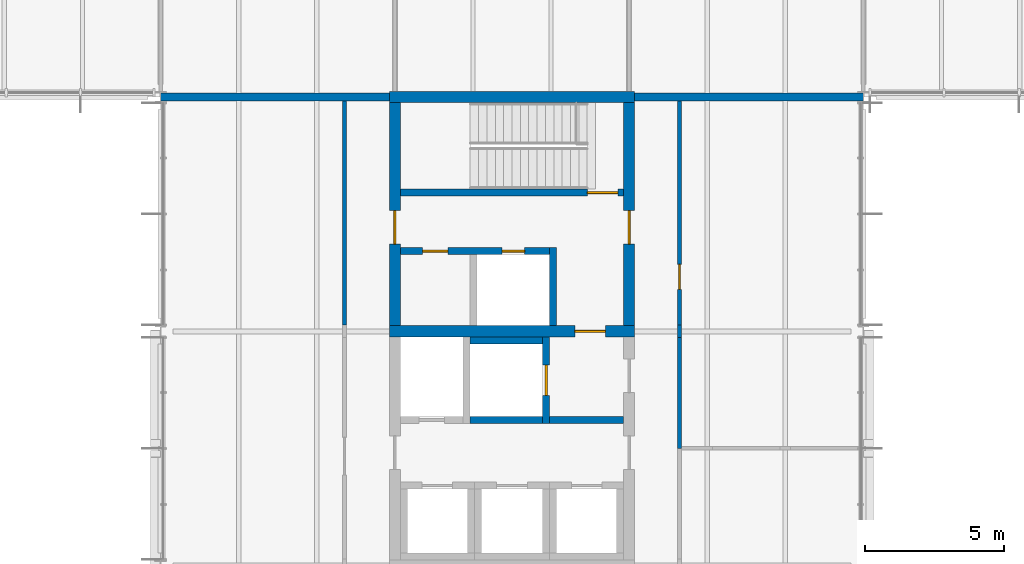
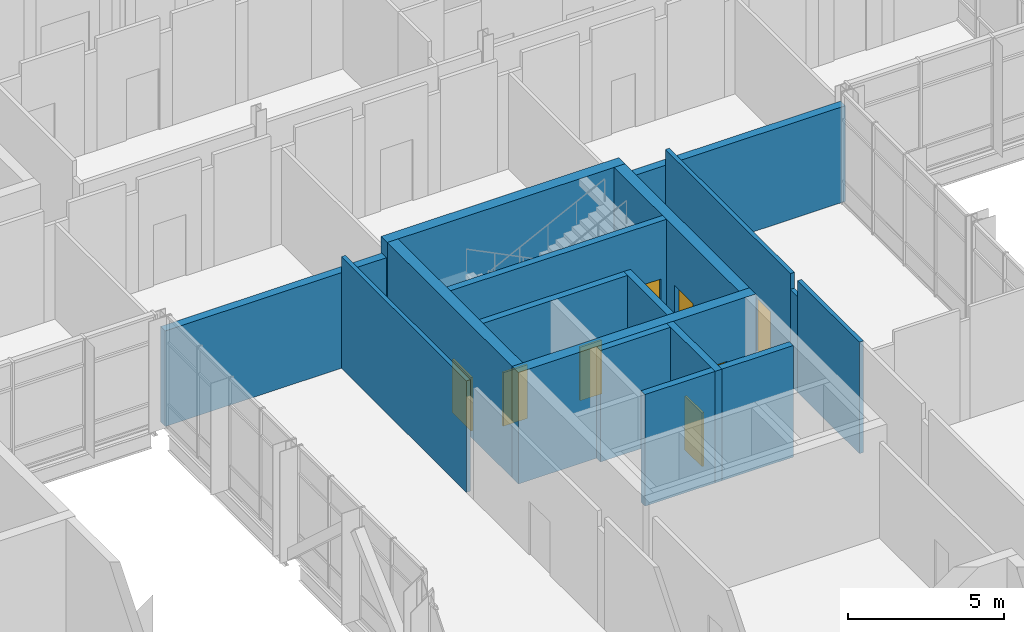
# One storey, part 55 of 89: 17 walls, 8 doors, 8 openings.
"""IFC4 building model written with IfcOpenShell, lengths in metres."""

from ifc_helpers import new_model, si_unit, direction, frame, frame_2d, origin, place, context, subcontext, project, spatial, rectangle, extrude, material, layer, layer_set, type_object, element, fill, save


model = new_model("IFC4")

# Units and contexts
model_context = context("Model", 3, precision=1e-05, world=origin(), true_north=direction((0.0, 1.0)))
body_context = subcontext(model_context, "Body", "Model", "MODEL_VIEW")
ifc_project = project(units=[si_unit("LENGTHUNIT", "METRE"), si_unit("AREAUNIT", "SQUARE_METRE"), si_unit("VOLUMEUNIT", "CUBIC_METRE"), si_unit("PLANEANGLEUNIT", "RADIAN"), si_unit("MASSUNIT", "GRAM", prefix="KILO")], contexts=[model_context])

# Site, building, storey
site_placement = place(None, origin())
site = spatial("IfcSite", under=ifc_project, at=site_placement, CompositionType="ELEMENT")
building_placement = place(site_placement, origin())
building = spatial("IfcBuilding", under=site, at=building_placement, Name="Hlaing Beacon Police Headquarters", CompositionType="ELEMENT")
storey_placement = place(building_placement, frame((0.0, 0.0, 9.89990234375)))
storey = spatial("IfcBuildingStorey", under=building, at=storey_placement, Name="L02", CompositionType="ELEMENT", Elevation=9.89990234375)

# Walls
ifc_material_1 = material(Name="Concrete C40/50", Category="concrete")
ifc_layer_1 = layer(ifc_material_1, 0.300048828125)
ifc_layer_set_1 = layer_set([ifc_layer_1], Name="Concrete C40/50")
wall_type_1 = type_object("IfcWallType", Name="Compartment wall 300", PredefinedType="SOLIDWALL", material=ifc_layer_set_1)
for number, where, z_axis, x_axis, name in (
    (1, (125.99853515625, 67.199951171875, 0.0), (0.0, 0.0, 1.0), (-1.0, 0.0, 0.0), "Compartment wall L02 N036"),
    (2, (109.0, 67.199951171875, 0.0), (0.0, 0.0, 1.0), (-1.0, 0.0, 0.0), "Compartment wall L02 N037"),
):
    element("IfcWall", number, at=place(storey_placement, frame(where, z_axis=z_axis, x_axis=x_axis)), inside=storey, type_object=wall_type_1, Name=name, PredefinedType="SOLIDWALL", context=body_context, shape_type="SweptSolid", body=[
        extrude(rectangle(XDim=8.198486328125, YDim=0.300048828125, at=frame_2d((4.09912109375, 0.0))), origin(), (0.0, 0.0, 1.0), 3.74609375),
    ])

# Wall, opening, door
ifc_material_2 = material(Name="Concrete C60/75", Category="concrete")
ifc_layer_2 = layer(ifc_material_2, 0.39990234375)
ifc_layer_set_2 = layer_set([ifc_layer_2], Name="Concrete C60/75")
wall_type_2 = type_object("IfcWallType", Name="Core shear wall 400", PredefinedType="SHEAR", material=ifc_layer_set_2)
wall_1_placement = place(storey_placement, frame((109.0, 58.800048828125, 0.0), z_axis=(0.0, 0.0, 1.0), x_axis=(1.0, 0.0, 0.0)))
wall_1 = element("IfcWall", 3, at=wall_1_placement, inside=storey, type_object=wall_type_2, Name="Core shear wall", PredefinedType="SHEAR", context=body_context, shape_type="SweptSolid", body=[
    extrude(rectangle(XDim=8.800048828125, YDim=0.39990234375, at=frame_2d((4.39990234375, 0.0))), origin(), (0.0, 0.0, 1.0), 4.3701171875),
])
opening_1_placement = place(wall_1_placement, frame((6.64990234375, 0.0, 0.0)))
opening_1 = element("IfcOpeningElement", 4, at=opening_1_placement, cuts=wall_1, Name="Opening L02-917", PredefinedType="OPENING", context=body_context, shape_type="SweptSolid", body=[
    extrude(rectangle(XDim=1.10009765625, YDim=2.10009765625, at=frame_2d((0.550048828125, 1.050048828125))), frame((0.0, 0.2099609375, 0.0), z_axis=(0.0, -1.0, 0.0), x_axis=(1.0, 0.0, 0.0)), (0.0, 0.0, 1.0), 0.419921875),
])
ifc_material_3 = material(Name="Steel fire door leaf", Category="steel")
ifc_layer_3 = layer(ifc_material_3, 0.070068359375)
ifc_layer_set_3 = layer_set([ifc_layer_3], Name="Steel fire door leaf")
door_type_1 = type_object("IfcDoorType", Name="Steel fire door FD60S 1100x2100", OperationType="SINGLE_SWING_LEFT", PredefinedType="DOOR", material=ifc_layer_set_3)
door_1_placement = place(opening_1_placement, origin())
door_1 = element("IfcDoor", 5, at=door_1_placement, inside=storey, type_object=door_type_1, Name="Door Firefighting Lobby Stair", OperationType="SINGLE_SWING_LEFT", OverallHeight=2.10009765625, OverallWidth=1.10009765625, PredefinedType="DOOR", context=body_context, shape_type="SweptSolid", body=[
    extrude(rectangle(XDim=1.10009765625, YDim=2.10009765625, at=frame_2d((0.550048828125, 1.050048828125))), frame((0.0, 0.03515625, 0.0), z_axis=(0.0, -1.0, 0.0), x_axis=(1.0, 0.0, 0.0)), (0.0, 0.0, 1.0), 0.070068359375),
])
fill(opening_1, door_1)

# Wall
wall_2_placement = place(storey_placement, frame((109.0, 67.199951171875, 0.0), z_axis=(0.0, 0.0, 1.0), x_axis=(1.0, 0.0, 0.0)))
element("IfcWall", 6, at=wall_2_placement, inside=storey, type_object=wall_type_2, Name="Core shear wall", PredefinedType="SHEAR", context=body_context, shape_type="SweptSolid", body=[
    extrude(rectangle(XDim=8.800048828125, YDim=0.39990234375, at=frame_2d((4.39990234375, 0.0))), origin(), (0.0, 0.0, 1.0), 4.3701171875),
])

# Wall, opening, door
wall_3_placement = place(storey_placement, frame((109.199951171875, 59.0, 0.0), z_axis=(0.0, 0.0, 1.0), x_axis=(0.0, 1.0, 0.0)))
wall_3 = element("IfcWall", 7, at=wall_3_placement, inside=storey, type_object=wall_type_2, Name="Core shear wall", PredefinedType="SHEAR", context=body_context, shape_type="SweptSolid", body=[
    extrude(rectangle(XDim=8.0, YDim=0.39990234375, at=frame_2d((4.0, 0.0))), origin(), (0.0, 0.0, 1.0), 4.3701171875),
])
opening_2_placement = place(wall_3_placement, frame((2.925048828125, 0.0, 0.0)))
opening_2 = element("IfcOpeningElement", 8, at=opening_2_placement, cuts=wall_3, Name="Opening L02-920", PredefinedType="OPENING", context=body_context, shape_type="SweptSolid", body=[
    extrude(rectangle(XDim=1.199951171875, YDim=2.10009765625, at=frame_2d((0.60009765625, 1.050048828125))), frame((0.0, 0.2099609375, 0.0), z_axis=(0.0, -1.0, 0.0), x_axis=(1.0, 0.0, 0.0)), (0.0, 0.0, 1.0), 0.419921875),
])
ifc_material_4 = material(Name="Steel fire door leaf", Category="steel")
ifc_layer_4 = layer(ifc_material_4, 0.070068359375)
ifc_layer_set_4 = layer_set([ifc_layer_4], Name="Steel fire door leaf")
door_type_2 = type_object("IfcDoorType", Name="Steel fire door FD60S 1200x2100", OperationType="SINGLE_SWING_LEFT", PredefinedType="DOOR", material=ifc_layer_set_4)
door_2_placement = place(opening_2_placement, frame((1.199951171875, 0.0, 0.0), z_axis=(0.0, 0.0, 1.0), x_axis=(-1.0, 0.0, 0.0)))
door_2 = element("IfcDoor", 9, at=door_2_placement, inside=storey, type_object=door_type_2, Name="Door Stair Lobby ST-M Entry", OperationType="SINGLE_SWING_LEFT", OverallHeight=2.10009765625, OverallWidth=1.199951171875, PredefinedType="DOOR", context=body_context, shape_type="SweptSolid", body=[
    extrude(rectangle(XDim=1.199951171875, YDim=2.10009765625, at=frame_2d((0.599853515625, 1.050048828125))), frame((0.0, 0.034912109375, 0.0), z_axis=(0.0, -1.0, 0.0), x_axis=(1.0, 0.0, 0.0)), (0.0, 0.0, 1.0), 0.070068359375),
])
fill(opening_2, door_2)

wall_4_placement = place(storey_placement, frame((117.60009765625, 59.0, 0.0), z_axis=(0.0, 0.0, 1.0), x_axis=(0.0, 1.0, 0.0)))
wall_4 = element("IfcWall", 10, at=wall_4_placement, inside=storey, type_object=wall_type_2, Name="Core shear wall", PredefinedType="SHEAR", context=body_context, shape_type="SweptSolid", body=[
    extrude(rectangle(XDim=8.0, YDim=0.39990234375, at=frame_2d((4.0, 0.0))), origin(), (0.0, 0.0, 1.0), 4.3701171875),
])
opening_3_placement = place(wall_4_placement, frame((2.925048828125, 0.0, 0.0)))
opening_3 = element("IfcOpeningElement", 11, at=opening_3_placement, cuts=wall_4, Name="Opening L02-921", PredefinedType="OPENING", context=body_context, shape_type="SweptSolid", body=[
    extrude(rectangle(XDim=1.199951171875, YDim=2.10009765625, at=frame_2d((0.60009765625, 1.050048828125))), frame((0.0, 0.2099609375, 0.0), z_axis=(0.0, -1.0, 0.0), x_axis=(1.0, 0.0, 0.0)), (0.0, 0.0, 1.0), 0.419921875),
])
door_3_placement = place(opening_3_placement, origin())
door_3 = element("IfcDoor", 12, at=door_3_placement, inside=storey, type_object=door_type_2, Name="Door Stair Lobby ST-M Entry", OperationType="SINGLE_SWING_RIGHT", OverallHeight=2.10009765625, OverallWidth=1.199951171875, PredefinedType="DOOR", context=body_context, shape_type="SweptSolid", body=[
    extrude(rectangle(XDim=1.199951171875, YDim=2.10009765625, at=frame_2d((0.60009765625, 1.050048828125))), frame((0.0, 0.03515625, 0.0), z_axis=(0.0, -1.0, 0.0), x_axis=(1.0, 0.0, 0.0)), (0.0, 0.0, 1.0), 0.070068359375),
])
fill(opening_3, door_3)

# Walls
ifc_material_5 = material(Name="Gypsum board partition")
ifc_layer_5 = layer(ifc_material_5, 0.14990234375)
ifc_layer_set_5 = layer_set([ifc_layer_5], Name="Gypsum board partition")
wall_type_3 = type_object("IfcWallType", Name="Corridor wall EI 30 150", PredefinedType="PARTITIONING", material=ifc_layer_set_5)
wall_5_placement = place(storey_placement, frame((119.39990234375, 54.60009765625, 0.0), z_axis=(0.0, 0.0, 1.0), x_axis=(0.0, 1.0, 0.0)))
element("IfcWall", 13, at=wall_5_placement, inside=storey, type_object=wall_type_3, Name="Corridor wall EI 30 150", PredefinedType="PARTITIONING", context=body_context, shape_type="SweptSolid", body=[
    extrude(rectangle(XDim=3.969970703125, YDim=0.14990234375, at=frame_2d((1.98486328125, 0.0))), origin(), (0.0, 0.0, 1.0), 4.3701171875),
])
wall_6_placement = place(storey_placement, frame((119.39990234375, 58.570068359375, 0.0), z_axis=(0.0, 0.0, 1.0), x_axis=(0.0, 1.0, 0.0)))
element("IfcWall", 14, at=wall_6_placement, inside=storey, type_object=wall_type_3, Name="Corridor wall EI 30 150", PredefinedType="PARTITIONING", context=body_context, shape_type="SweptSolid", body=[
    extrude(rectangle(XDim=0.4599609375, YDim=0.14990234375, at=frame_2d((0.22998046875, 0.0))), origin(), (0.0, 0.0, 1.0), 3.74609375),
])

# Wall, opening, door
wall_7_placement = place(storey_placement, frame((119.39990234375, 59.030029296875, 0.0), z_axis=(0.0, 0.0, 1.0), x_axis=(0.0, 1.0, 0.0)))
wall_7 = element("IfcWall", 15, at=wall_7_placement, inside=storey, type_object=wall_type_3, Name="Corridor wall EI 30 150", PredefinedType="PARTITIONING", context=body_context, shape_type="SweptSolid", body=[
    extrude(rectangle(XDim=8.02001953125, YDim=0.14990234375, at=frame_2d((4.010009765625, 0.0))), origin(), (0.0, 0.0, 1.0), 4.3701171875),
])
opening_4_placement = place(wall_7_placement, frame((1.27001953125, 0.0, 0.0)))
opening_4 = element("IfcOpeningElement", 16, at=opening_4_placement, cuts=wall_7, Name="Opening L02-022", PredefinedType="OPENING", context=body_context, shape_type="SweptSolid", body=[
    extrude(rectangle(XDim=0.89990234375, YDim=2.10009765625, at=frame_2d((0.449951171875, 1.050048828125))), frame((0.0, 0.0849609375, 0.0), z_axis=(0.0, -1.0, 0.0), x_axis=(1.0, 0.0, 0.0)), (0.0, 0.0, 1.0), 0.169921875),
])
ifc_material_6 = material(Name="Hardwood door leaf", Category="wood")
ifc_layer_6 = layer(ifc_material_6, 0.050048828125)
ifc_layer_set_6 = layer_set([ifc_layer_6], Name="Hardwood door leaf")
door_type_3 = type_object("IfcDoorType", Name="Fire door FD30S 900x2100", OperationType="SINGLE_SWING_LEFT", PredefinedType="DOOR", material=ifc_layer_set_6)
door_4_placement = place(opening_4_placement, frame((0.89990234375, 0.0, 0.0), z_axis=(0.0, 0.0, 1.0), x_axis=(-1.0, 0.0, 0.0)))
door_4 = element("IfcDoor", 17, at=door_4_placement, inside=storey, type_object=door_type_3, Name="Door Prosecution Liaison Office", OperationType="SINGLE_SWING_RIGHT", OverallHeight=2.10009765625, OverallWidth=0.89990234375, PredefinedType="DOOR", context=body_context, shape_type="SweptSolid", body=[
    extrude(rectangle(XDim=0.89990234375, YDim=2.10009765625, at=frame_2d((0.449951171875, 1.050048828125))), frame((0.0, 0.025146484375, 0.0), z_axis=(0.0, -1.0, 0.0), x_axis=(1.0, 0.0, 0.0)), (0.0, 0.0, 1.0), 0.050048828125),
])
fill(opening_4, door_4)

# Walls
wall_8_placement = place(storey_placement, frame((107.39990234375, 59.030029296875, 0.0), z_axis=(0.0, 0.0, 1.0), x_axis=(0.0, 1.0, 0.0)))
element("IfcWall", 18, at=wall_8_placement, inside=storey, type_object=wall_type_3, Name="Corridor wall EI 30 150", PredefinedType="PARTITIONING", context=body_context, shape_type="SweptSolid", body=[
    extrude(rectangle(XDim=8.02001953125, YDim=0.14990234375, at=frame_2d((4.010009765625, 0.0))), origin(), (0.0, 0.0, 1.0), 4.3701171875),
])
ifc_material_7 = material(Name="Concrete C40/50", Category="concrete")
ifc_layer_7 = layer(ifc_material_7, 0.25)
ifc_layer_set_7 = layer_set([ifc_layer_7], Name="Concrete C40/50")
wall_type_4 = type_object("IfcWallType", Name="Shaft wall 250", PredefinedType="SOLIDWALL", material=ifc_layer_set_7)
wall_9_placement = place(storey_placement, frame((114.75, 55.625, 0.0), z_axis=(0.0, 0.0, 1.0), x_axis=(1.0, 0.0, 0.0)))
element("IfcWall", 19, at=wall_9_placement, inside=storey, type_object=wall_type_4, Name="Firefighting lobby wall", PredefinedType="SOLIDWALL", context=body_context, shape_type="SweptSolid", body=[
    extrude(rectangle(XDim=2.64990234375, YDim=0.25, at=frame_2d((1.324951171875, 0.0))), origin(), (0.0, 0.0, 1.0), 4.3701171875),
])

# Wall, opening, door
wall_10_placement = place(storey_placement, frame((117.39990234375, 63.77490234375, 0.0), z_axis=(0.0, 0.0, 1.0), x_axis=(-1.0, 0.0, 0.0)))
wall_10 = element("IfcWall", 20, at=wall_10_placement, inside=storey, type_object=wall_type_4, Name="Stair enclosure wall", PredefinedType="SOLIDWALL", context=body_context, shape_type="SweptSolid", body=[
    extrude(rectangle(XDim=8.0, YDim=0.25, at=frame_2d((4.0, 0.0))), origin(), (0.0, 0.0, 1.0), 4.3701171875),
])
opening_5_placement = place(wall_10_placement, frame((0.199951171875, 0.0, 0.0)))
opening_5 = element("IfcOpeningElement", 21, at=opening_5_placement, cuts=wall_10, Name="Opening L02-923", PredefinedType="OPENING", context=body_context, shape_type="SweptSolid", body=[
    extrude(rectangle(XDim=1.10009765625, YDim=2.10009765625, at=frame_2d((0.550048828125, 1.050048828125))), frame((0.0, 0.135009765625, 0.0), z_axis=(0.0, -1.0, 0.0), x_axis=(1.0, 0.0, 0.0)), (0.0, 0.0, 1.0), 0.27001953125),
])
ifc_material_8 = material(Name="Steel fire door leaf", Category="steel")
ifc_layer_8 = layer(ifc_material_8, 0.070068359375)
ifc_layer_set_8 = layer_set([ifc_layer_8], Name="Steel fire door leaf")
door_type_4 = type_object("IfcDoorType", Name="Steel fire door FD60 1100x2100", OperationType="SINGLE_SWING_LEFT", PredefinedType="DOOR", material=ifc_layer_set_8)
door_5_placement = place(opening_5_placement, frame((1.10009765625, 0.0, 0.0), z_axis=(0.0, 0.0, 1.0), x_axis=(-1.0, 0.0, 0.0)))
door_5 = element("IfcDoor", 22, at=door_5_placement, inside=storey, type_object=door_type_4, Name="Door Stair ST-M", OperationType="SINGLE_SWING_LEFT", OverallHeight=2.10009765625, OverallWidth=1.10009765625, PredefinedType="DOOR", context=body_context, shape_type="SweptSolid", body=[
    extrude(rectangle(XDim=1.10009765625, YDim=2.10009765625, at=frame_2d((0.550048828125, 1.050048828125))), frame((0.0, 0.034912109375, 0.0), z_axis=(0.0, -1.0, 0.0), x_axis=(1.0, 0.0, 0.0)), (0.0, 0.0, 1.0), 0.070068359375),
])
fill(opening_5, door_5)

# Wall
wall_11_placement = place(storey_placement, frame((114.875, 61.800048828125, 0.0), z_axis=(0.0, 0.0, 1.0), x_axis=(0.0, -1.0, 0.0)))
element("IfcWall", 23, at=wall_11_placement, inside=storey, type_object=wall_type_4, Name="Lobby wall", PredefinedType="SOLIDWALL", context=body_context, shape_type="SweptSolid", body=[
    extrude(rectangle(XDim=2.800048828125, YDim=0.25, at=frame_2d((1.39990234375, 0.0))), origin(), (0.0, 0.0, 1.0), 4.3701171875),
])

# Wall, openings, doors
wall_12_placement = place(storey_placement, frame((114.75, 61.675048828125, 0.0), z_axis=(0.0, 0.0, 1.0), x_axis=(-1.0, 0.0, 0.0)))
wall_12 = element("IfcWall", 24, at=wall_12_placement, inside=storey, type_object=wall_type_4, Name="Lobby wall", PredefinedType="SOLIDWALL", context=body_context, shape_type="SweptSolid", body=[
    extrude(rectangle(XDim=5.35009765625, YDim=0.25, at=frame_2d((2.675048828125, 0.0))), origin(), (0.0, 0.0, 1.0), 4.3701171875),
])
opening_6_placement = place(wall_12_placement, frame((3.64990234375, 0.0, 0.0)))
opening_6 = element("IfcOpeningElement", 25, at=opening_6_placement, cuts=wall_12, Name="Opening L02-919", PredefinedType="OPENING", context=body_context, shape_type="SweptSolid", body=[
    extrude(rectangle(XDim=0.89990234375, YDim=2.10009765625, at=frame_2d((0.449951171875, 1.050048828125))), frame((0.0, 0.135009765625, 0.0), z_axis=(0.0, -1.0, 0.0), x_axis=(1.0, 0.0, 0.0)), (0.0, 0.0, 1.0), 0.27001953125),
])
opening_7_placement = place(wall_12_placement, frame((0.89990234375, 0.0, 0.0)))
opening_7 = element("IfcOpeningElement", 26, at=opening_7_placement, cuts=wall_12, Name="Opening L02-922", PredefinedType="OPENING", context=body_context, shape_type="SweptSolid", body=[
    extrude(rectangle(XDim=0.800048828125, YDim=2.10009765625, at=frame_2d((0.39990234375, 1.050048828125))), frame((0.0, 0.135009765625, 0.0), z_axis=(0.0, -1.0, 0.0), x_axis=(1.0, 0.0, 0.0)), (0.0, 0.0, 1.0), 0.27001953125),
])
ifc_material_9 = material(Name="Steel fire door leaf", Category="steel")
ifc_layer_9 = layer(ifc_material_9, 0.070068359375)
ifc_layer_set_9 = layer_set([ifc_layer_9], Name="Steel fire door leaf")
door_type_5 = type_object("IfcDoorType", Name="Steel fire door FD60 800x2100", OperationType="SINGLE_SWING_LEFT", PredefinedType="DOOR", material=ifc_layer_set_9)
door_6_placement = place(opening_7_placement, origin())
door_6 = element("IfcDoor", 27, at=door_6_placement, inside=storey, type_object=door_type_5, Name="Door Services Riser", OperationType="SINGLE_SWING_RIGHT", OverallHeight=2.10009765625, OverallWidth=0.800048828125, PredefinedType="DOOR", context=body_context, shape_type="SweptSolid", body=[
    extrude(rectangle(XDim=0.800048828125, YDim=2.10009765625, at=frame_2d((0.39990234375, 1.050048828125))), frame((0.0, 0.03515625, 0.0), z_axis=(0.0, -1.0, 0.0), x_axis=(1.0, 0.0, 0.0)), (0.0, 0.0, 1.0), 0.070068359375),
])
fill(opening_7, door_6)
ifc_material_10 = material(Name="Steel fire door leaf", Category="steel")
ifc_layer_10 = layer(ifc_material_10, 0.070068359375)
ifc_layer_set_10 = layer_set([ifc_layer_10], Name="Steel fire door leaf")
door_type_6 = type_object("IfcDoorType", Name="Steel fire door FD60 900x2100", OperationType="SINGLE_SWING_LEFT", PredefinedType="DOOR", material=ifc_layer_set_10)
door_7_placement = place(opening_6_placement, origin())
door_7 = element("IfcDoor", 28, at=door_7_placement, inside=storey, type_object=door_type_6, Name="Door Cleaners' Store", OperationType="SINGLE_SWING_LEFT", OverallHeight=2.10009765625, OverallWidth=0.89990234375, PredefinedType="DOOR", context=body_context, shape_type="SweptSolid", body=[
    extrude(rectangle(XDim=0.89990234375, YDim=2.10009765625, at=frame_2d((0.449951171875, 1.050048828125))), frame((0.0, 0.03515625, 0.0), z_axis=(0.0, -1.0, 0.0), x_axis=(1.0, 0.0, 0.0)), (0.0, 0.0, 1.0), 0.070068359375),
])
fill(opening_6, door_7)

# Wall, opening, door
wall_13_placement = place(storey_placement, frame((114.625, 55.5, 0.0), z_axis=(0.0, 0.0, 1.0), x_axis=(0.0, 1.0, 0.0)))
wall_13 = element("IfcWall", 29, at=wall_13_placement, inside=storey, type_object=wall_type_4, Name="Lift shaft wall FL1", PredefinedType="SOLIDWALL", context=body_context, shape_type="SweptSolid", body=[
    extrude(rectangle(XDim=3.10009765625, YDim=0.25, at=frame_2d((1.550048828125, 0.0))), origin(), (0.0, 0.0, 1.0), 4.3701171875),
])
opening_8_placement = place(wall_13_placement, frame((1.0, 0.0, 0.0)))
opening_8 = element("IfcOpeningElement", 30, at=opening_8_placement, cuts=wall_13, Name="Opening LD-FL1-L02", PredefinedType="OPENING", context=body_context, shape_type="SweptSolid", body=[
    extrude(rectangle(XDim=1.10009765625, YDim=2.10009765625, at=frame_2d((0.550048828125, 1.050048828125))), frame((0.0, 0.135009765625, 0.0), z_axis=(0.0, -1.0, 0.0), x_axis=(1.0, 0.0, 0.0)), (0.0, 0.0, 1.0), 0.27001953125),
])
ifc_material_11 = material(Name="Stainless steel lift landing door", Category="steel")
ifc_layer_11 = layer(ifc_material_11, 0.06005859375)
ifc_layer_set_11 = layer_set([ifc_layer_11], Name="Stainless steel lift landing door")
door_type_7 = type_object("IfcDoorType", Name="Lift landing door 1100x2100", OperationType="DOUBLE_DOOR_SLIDING", PredefinedType="DOOR", material=ifc_layer_set_11)
door_8_placement = place(opening_8_placement, origin())
door_8 = element("IfcDoor", 31, at=door_8_placement, inside=storey, type_object=door_type_7, Name="Landing door FL1 L02", OperationType="DOUBLE_DOOR_SLIDING", OverallHeight=2.10009765625, OverallWidth=1.10009765625, PredefinedType="DOOR", context=body_context, shape_type="SweptSolid", body=[
    extrude(rectangle(XDim=1.10009765625, YDim=2.10009765625, at=frame_2d((0.550048828125, 1.050048828125))), frame((0.0, 0.0400390625, 0.0), z_axis=(0.0, -1.0, 0.0), x_axis=(1.0, 0.0, 0.0)), (0.0, 0.0, 1.0), 0.080078125),
])
fill(opening_8, door_8)

# Walls
for number, where, z_axis, x_axis, name in (
    (32, (111.89990234375, 58.47509765625, 0.0), (0.0, 0.0, 1.0), (1.0, 0.0, 0.0), "Lift shaft wall FL1"),
    (33, (111.89990234375, 55.625, 0.0), (0.0, 0.0, 1.0), (1.0, 0.0, 0.0), "Lift shaft wall FL1"),
):
    element("IfcWall", number, at=place(storey_placement, frame(where, z_axis=z_axis, x_axis=x_axis)), inside=storey, type_object=wall_type_4, Name=name, PredefinedType="SOLIDWALL", context=body_context, shape_type="SweptSolid", body=[
        extrude(rectangle(XDim=2.60009765625, YDim=0.25, at=frame_2d((1.300048828125, 0.0))), origin(), (0.0, 0.0, 1.0), 4.3701171875),
    ])

save(model, "model.ifc")
